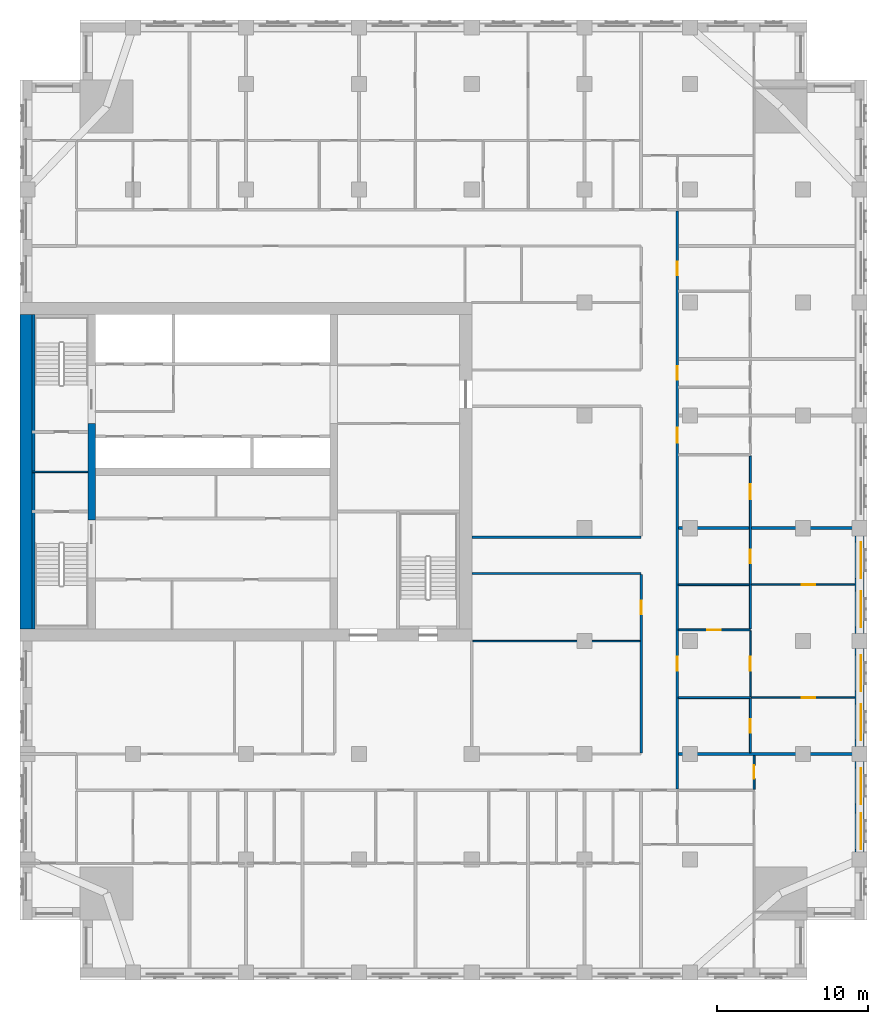
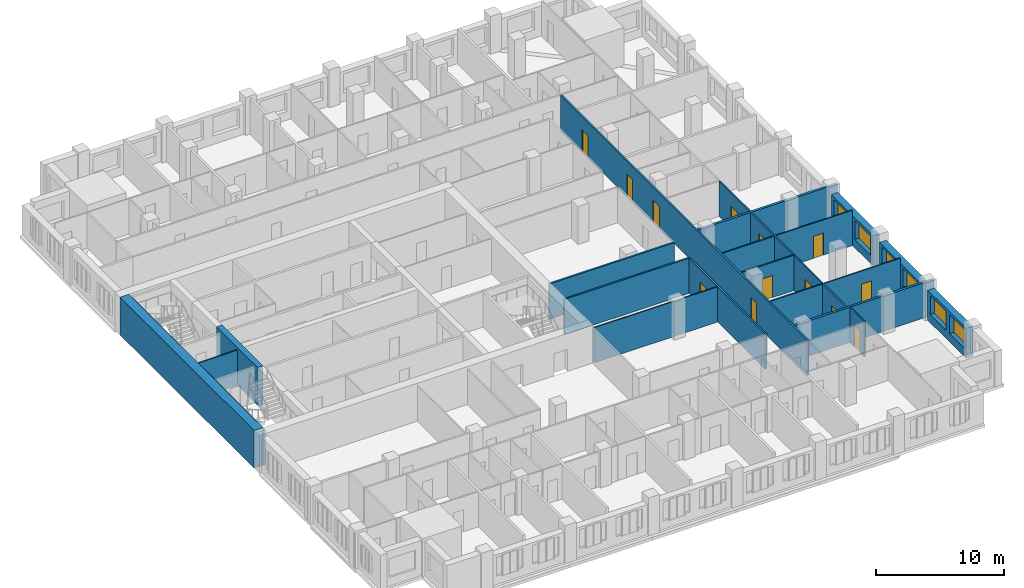
# One storey, part 7 of 14: 23 walls, 13 doors, 6 windows, 19 openings.
"""IFC4 building model written with IfcOpenShell, lengths in metres."""

from ifc_helpers import new_model, si_unit, direction, frame, frame_2d, origin, place, context, subcontext, project, spatial, rectangle, extrude, material, layer, layer_set, type_object, element, fill, save


model = new_model("IFC4")

# Units and contexts
model_context = context("Model", 3, precision=1e-05, world=origin(), true_north=direction((0.0, 1.0)))
body_context = subcontext(model_context, "Body", "Model", "MODEL_VIEW")
ifc_project = project(units=[si_unit("LENGTHUNIT", "METRE"), si_unit("AREAUNIT", "SQUARE_METRE"), si_unit("VOLUMEUNIT", "CUBIC_METRE"), si_unit("PLANEANGLEUNIT", "RADIAN"), si_unit("MASSUNIT", "GRAM", prefix="KILO")], contexts=[model_context])

# Site, building, storey
site_placement = place(None, origin())
site = spatial("IfcSite", under=ifc_project, at=site_placement, CompositionType="ELEMENT")
building_placement = place(site_placement, origin())
building = spatial("IfcBuilding", under=site, at=building_placement, Name="Tamorin Gate", CompositionType="ELEMENT")
storey_placement = place(building_placement, frame((0.0, 0.0, 141.0)))
storey = spatial("IfcBuildingStorey", under=building, at=storey_placement, Name="L34", CompositionType="ELEMENT", Elevation=141.0)

# Wall, openings, windows
ifc_material_1 = material(Name="Precast concrete C40/50", Category="concrete")
ifc_layer_1 = layer(ifc_material_1, 0.60009765625)
ifc_layer_set_1 = layer_set([ifc_layer_1], Name="Precast concrete C40/50")
wall_type_1 = type_object("IfcWallType", Name="Board-marked concrete facade panel 600", PredefinedType="SOLIDWALL", material=ifc_layer_set_1)
wall_1_placement = place(storey_placement, frame((85.75, 46.0, 0.0), z_axis=(0.0, 0.0, 1.0), x_axis=(0.0, 1.0, 0.0)))
wall_1 = element("IfcWall", 1, at=wall_1_placement, inside=storey, type_object=wall_type_1, Name="Facade panel", PredefinedType="SOLIDWALL", context=body_context, shape_type="SweptSolid", body=[
    extrude(rectangle(XDim=6.0, YDim=0.60009765625, at=frame_2d((3.0, 0.0))), origin(), (0.0, 0.0, 1.0), 2.85009765625),
])
opening_1_placement = place(wall_1_placement, frame((0.175048828125, 0.0, 0.800048828125)))
opening_1 = element("IfcOpeningElement", 2, at=opening_1_placement, cuts=wall_1, Name="Opening WN1", PredefinedType="OPENING", context=body_context, shape_type="SweptSolid", body=[
    extrude(rectangle(XDim=2.39990234375, YDim=1.800048828125, at=frame_2d((1.199951171875, 0.89990234375))), frame((0.0, 0.31005859375, 0.0), z_axis=(0.0, -1.0, 0.0), x_axis=(1.0, 0.0, 0.0)), (0.0, 0.0, 1.0), 0.6201171875),
])
opening_2_placement = place(wall_1_placement, frame((3.175048828125, 0.0, 0.800048828125)))
opening_2 = element("IfcOpeningElement", 3, at=opening_2_placement, cuts=wall_1, Name="Opening WN1", PredefinedType="OPENING", context=body_context, shape_type="SweptSolid", body=[
    extrude(rectangle(XDim=2.39990234375, YDim=1.800048828125, at=frame_2d((1.199951171875, 0.89990234375))), frame((0.0, 0.31005859375, 0.0), z_axis=(0.0, -1.0, 0.0), x_axis=(1.0, 0.0, 0.0)), (0.0, 0.0, 1.0), 0.6201171875),
])
ifc_material_2 = material(Name="Clear glass in aluminium frame", Category="aluminium")
window_type = type_object("IfcWindowType", Name="Deep-set window 2400x1800", PartitioningType="SINGLE_PANEL", PredefinedType="WINDOW", material=ifc_material_2)
window_1_placement = place(opening_1_placement, origin())
window_1 = element("IfcWindow", 4, at=window_1_placement, inside=storey, type_object=window_type, Name="Deep-set window", OverallHeight=1.800048828125, OverallWidth=2.39990234375, PartitioningType="SINGLE_PANEL", PredefinedType="WINDOW", context=body_context, shape_type="SweptSolid", body=[
    extrude(rectangle(XDim=2.39990234375, YDim=1.800048828125, at=frame_2d((1.199951171875, 0.89990234375))), frame((0.0, -0.070068359375, 0.0), z_axis=(0.0, -1.0, 0.0), x_axis=(1.0, 0.0, 0.0)), (0.0, 0.0, 1.0), 0.06005859375),
])
fill(opening_1, window_1)
window_2_placement = place(opening_2_placement, origin())
window_2 = element("IfcWindow", 5, at=window_2_placement, inside=storey, type_object=window_type, Name="Deep-set window", OverallHeight=1.800048828125, OverallWidth=2.39990234375, PartitioningType="SINGLE_PANEL", PredefinedType="WINDOW", context=body_context, shape_type="SweptSolid", body=[
    extrude(rectangle(XDim=2.39990234375, YDim=1.800048828125, at=frame_2d((1.199951171875, 0.89990234375))), frame((0.0, -0.070068359375, 0.0), z_axis=(0.0, -1.0, 0.0), x_axis=(1.0, 0.0, 0.0)), (0.0, 0.0, 1.0), 0.06005859375),
])
fill(opening_2, window_2)

wall_2_placement = place(storey_placement, frame((85.75, 53.0, 0.0), z_axis=(0.0, 0.0, 1.0), x_axis=(0.0, 1.0, 0.0)))
wall_2 = element("IfcWall", 6, at=wall_2_placement, inside=storey, type_object=wall_type_1, Name="Facade panel", PredefinedType="SOLIDWALL", context=body_context, shape_type="SweptSolid", body=[
    extrude(rectangle(XDim=6.5, YDim=0.60009765625, at=frame_2d((3.25, 0.0))), origin(), (0.0, 0.0, 1.0), 2.85009765625),
])
opening_3_placement = place(wall_2_placement, frame((0.425048828125, 0.0, 0.800048828125)))
opening_3 = element("IfcOpeningElement", 7, at=opening_3_placement, cuts=wall_2, Name="Opening WN1", PredefinedType="OPENING", context=body_context, shape_type="SweptSolid", body=[
    extrude(rectangle(XDim=2.39990234375, YDim=1.800048828125, at=frame_2d((1.199951171875, 0.89990234375))), frame((0.0, 0.31005859375, 0.0), z_axis=(0.0, -1.0, 0.0), x_axis=(1.0, 0.0, 0.0)), (0.0, 0.0, 1.0), 0.6201171875),
])
opening_4_placement = place(wall_2_placement, frame((3.675048828125, 0.0, 0.800048828125)))
opening_4 = element("IfcOpeningElement", 8, at=opening_4_placement, cuts=wall_2, Name="Opening WN1", PredefinedType="OPENING", context=body_context, shape_type="SweptSolid", body=[
    extrude(rectangle(XDim=2.39990234375, YDim=1.800048828125, at=frame_2d((1.199951171875, 0.89990234375))), frame((0.0, 0.31005859375, 0.0), z_axis=(0.0, -1.0, 0.0), x_axis=(1.0, 0.0, 0.0)), (0.0, 0.0, 1.0), 0.6201171875),
])
window_3_placement = place(opening_3_placement, origin())
window_3 = element("IfcWindow", 9, at=window_3_placement, inside=storey, type_object=window_type, Name="Deep-set window", OverallHeight=1.800048828125, OverallWidth=2.39990234375, PartitioningType="SINGLE_PANEL", PredefinedType="WINDOW", context=body_context, shape_type="SweptSolid", body=[
    extrude(rectangle(XDim=2.39990234375, YDim=1.800048828125, at=frame_2d((1.199951171875, 0.89990234375))), frame((0.0, -0.070068359375, 0.0), z_axis=(0.0, -1.0, 0.0), x_axis=(1.0, 0.0, 0.0)), (0.0, 0.0, 1.0), 0.06005859375),
])
fill(opening_3, window_3)
window_4_placement = place(opening_4_placement, origin())
window_4 = element("IfcWindow", 10, at=window_4_placement, inside=storey, type_object=window_type, Name="Deep-set window", OverallHeight=1.800048828125, OverallWidth=2.39990234375, PartitioningType="SINGLE_PANEL", PredefinedType="WINDOW", context=body_context, shape_type="SweptSolid", body=[
    extrude(rectangle(XDim=2.39990234375, YDim=1.800048828125, at=frame_2d((1.199951171875, 0.89990234375))), frame((0.0, -0.070068359375, 0.0), z_axis=(0.0, -1.0, 0.0), x_axis=(1.0, 0.0, 0.0)), (0.0, 0.0, 1.0), 0.06005859375),
])
fill(opening_4, window_4)

wall_3_placement = place(storey_placement, frame((85.75, 60.5, 0.0), z_axis=(0.0, 0.0, 1.0), x_axis=(0.0, 1.0, 0.0)))
wall_3 = element("IfcWall", 11, at=wall_3_placement, inside=storey, type_object=wall_type_1, Name="Facade panel", PredefinedType="SOLIDWALL", context=body_context, shape_type="SweptSolid", body=[
    extrude(rectangle(XDim=6.5, YDim=0.60009765625, at=frame_2d((3.25, 0.0))), origin(), (0.0, 0.0, 1.0), 2.85009765625),
])
opening_5_placement = place(wall_3_placement, frame((0.425048828125, 0.0, 0.800048828125)))
opening_5 = element("IfcOpeningElement", 12, at=opening_5_placement, cuts=wall_3, Name="Opening WN1", PredefinedType="OPENING", context=body_context, shape_type="SweptSolid", body=[
    extrude(rectangle(XDim=2.39990234375, YDim=1.800048828125, at=frame_2d((1.199951171875, 0.89990234375))), frame((0.0, 0.31005859375, 0.0), z_axis=(0.0, -1.0, 0.0), x_axis=(1.0, 0.0, 0.0)), (0.0, 0.0, 1.0), 0.6201171875),
])
opening_6_placement = place(wall_3_placement, frame((3.675048828125, 0.0, 0.800048828125)))
opening_6 = element("IfcOpeningElement", 13, at=opening_6_placement, cuts=wall_3, Name="Opening WN1", PredefinedType="OPENING", context=body_context, shape_type="SweptSolid", body=[
    extrude(rectangle(XDim=2.39990234375, YDim=1.800048828125, at=frame_2d((1.199951171875, 0.89990234375))), frame((0.0, 0.31005859375, 0.0), z_axis=(0.0, -1.0, 0.0), x_axis=(1.0, 0.0, 0.0)), (0.0, 0.0, 1.0), 0.6201171875),
])
window_5_placement = place(opening_5_placement, origin())
window_5 = element("IfcWindow", 14, at=window_5_placement, inside=storey, type_object=window_type, Name="Deep-set window", OverallHeight=1.800048828125, OverallWidth=2.39990234375, PartitioningType="SINGLE_PANEL", PredefinedType="WINDOW", context=body_context, shape_type="SweptSolid", body=[
    extrude(rectangle(XDim=2.39990234375, YDim=1.800048828125, at=frame_2d((1.199951171875, 0.89990234375))), frame((0.0, -0.070068359375, 0.0), z_axis=(0.0, -1.0, 0.0), x_axis=(1.0, 0.0, 0.0)), (0.0, 0.0, 1.0), 0.06005859375),
])
fill(opening_5, window_5)
window_6_placement = place(opening_6_placement, origin())
window_6 = element("IfcWindow", 15, at=window_6_placement, inside=storey, type_object=window_type, Name="Deep-set window", OverallHeight=1.800048828125, OverallWidth=2.39990234375, PartitioningType="SINGLE_PANEL", PredefinedType="WINDOW", context=body_context, shape_type="SweptSolid", body=[
    extrude(rectangle(XDim=2.39990234375, YDim=1.800048828125, at=frame_2d((1.199951171875, 0.89990234375))), frame((0.0, -0.070068359375, 0.0), z_axis=(0.0, -1.0, 0.0), x_axis=(1.0, 0.0, 0.0)), (0.0, 0.0, 1.0), 0.06005859375),
])
fill(opening_6, window_6)

# Wall, opening, door
ifc_material_3 = material(Name="Gypsum board partition")
ifc_layer_2 = layer(ifc_material_3, 0.14990234375)
ifc_layer_set_2 = layer_set([ifc_layer_2], Name="Corridor wall 150")
wall_type_2 = type_object("IfcWallType", Name="Corridor wall 150", PredefinedType="PARTITIONING", material=ifc_layer_set_2)
wall_4_placement = place(storey_placement, frame((71.25, 52.574951171875, 0.0), z_axis=(0.0, 0.0, 1.0), x_axis=(0.0, 1.0, 0.0)))
wall_4 = element("IfcWall", 16, at=wall_4_placement, inside=storey, type_object=wall_type_2, Name="Corridor wall 150", PredefinedType="PARTITIONING", context=body_context, shape_type="SweptSolid", body=[
    extrude(rectangle(XDim=11.85009765625, YDim=0.14990234375, at=frame_2d((5.925048828125, 0.0))), origin(), (0.0, 0.0, 1.0), 3.35009765625),
])
opening_7_placement = place(wall_4_placement, frame((9.22509765625, 0.0, 0.0)))
opening_7 = element("IfcOpeningElement", 17, at=opening_7_placement, cuts=wall_4, Name="Opening DS4078", PredefinedType="OPENING", context=body_context, shape_type="SweptSolid", body=[
    extrude(rectangle(XDim=0.89990234375, YDim=2.10009765625, at=frame_2d((0.449951171875, 1.050048828125))), frame((0.0, 0.0849609375, 0.0), z_axis=(0.0, -1.0, 0.0), x_axis=(1.0, 0.0, 0.0)), (0.0, 0.0, 1.0), 0.169921875),
])
ifc_material_4 = material(Name="Timber door leaf", Category="wood")
door_type_1 = type_object("IfcDoorType", Name="Door 900 x 2100 FD30S", OperationType="NOTDEFINED", PredefinedType="DOOR", material=ifc_material_4)
door_1_placement = place(opening_7_placement, origin())
door_1 = element("IfcDoor", 18, at=door_1_placement, inside=storey, type_object=door_type_1, Name="Door DS4078", OperationType="SINGLE_SWING_LEFT", OverallHeight=2.10009765625, OverallWidth=0.89990234375, PredefinedType="DOOR", context=body_context, shape_type="SweptSolid", body=[
    extrude(rectangle(XDim=0.89990234375, YDim=2.10009765625, at=frame_2d((0.449951171875, 1.050048828125))), frame((0.0, 0.02490234375, 0.0), z_axis=(0.0, -1.0, 0.0), x_axis=(1.0, 0.0, 0.0)), (0.0, 0.0, 1.0), 0.050048828125),
])
fill(opening_7, door_1)

# Wall, openings, doors
wall_5_placement = place(storey_placement, frame((73.64990234375, 50.175048828125, 0.0), z_axis=(0.0, 0.0, 1.0), x_axis=(0.0, 1.0, 0.0)))
wall_5 = element("IfcWall", 19, at=wall_5_placement, inside=storey, type_object=wall_type_2, Name="Corridor wall 150", PredefinedType="PARTITIONING", context=body_context, shape_type="SweptSolid", body=[
    extrude(rectangle(XDim=38.39990234375, YDim=0.14990234375, at=frame_2d((19.199951171875, 0.0))), origin(), (0.0, 0.0, 1.0), 3.35009765625),
])
opening_8_placement = place(wall_5_placement, frame((7.875, 0.0, 0.0)))
opening_8 = element("IfcOpeningElement", 20, at=opening_8_placement, cuts=wall_5, Name="Opening DS4044", PredefinedType="OPENING", context=body_context, shape_type="SweptSolid", body=[
    extrude(rectangle(XDim=0.89990234375, YDim=2.10009765625, at=frame_2d((0.449951171875, 1.050048828125))), frame((0.0, 0.0849609375, 0.0), z_axis=(0.0, -1.0, 0.0), x_axis=(1.0, 0.0, 0.0)), (0.0, 0.0, 1.0), 0.169921875),
])
opening_9_placement = place(wall_5_placement, frame((23.012451171875, 0.0, 0.0)))
opening_9 = element("IfcOpeningElement", 21, at=opening_9_placement, cuts=wall_5, Name="Opening DS4051", PredefinedType="OPENING", context=body_context, shape_type="SweptSolid", body=[
    extrude(rectangle(XDim=1.0, YDim=2.10009765625, at=frame_2d((0.5, 1.050048828125))), frame((0.0, 0.0849609375, 0.0), z_axis=(0.0, -1.0, 0.0), x_axis=(1.0, 0.0, 0.0)), (0.0, 0.0, 1.0), 0.169921875),
])
opening_10_placement = place(wall_5_placement, frame((27.1875, 0.0, 0.0)))
opening_10 = element("IfcOpeningElement", 22, at=opening_10_placement, cuts=wall_5, Name="Opening DS4054", PredefinedType="OPENING", context=body_context, shape_type="SweptSolid", body=[
    extrude(rectangle(XDim=0.89990234375, YDim=2.10009765625, at=frame_2d((0.449951171875, 1.050048828125))), frame((0.0, 0.0849609375, 0.0), z_axis=(0.0, -1.0, 0.0), x_axis=(1.0, 0.0, 0.0)), (0.0, 0.0, 1.0), 0.169921875),
])
opening_11_placement = place(wall_5_placement, frame((34.125, 0.0, 0.0)))
opening_11 = element("IfcOpeningElement", 23, at=opening_11_placement, cuts=wall_5, Name="Opening DS4057", PredefinedType="OPENING", context=body_context, shape_type="SweptSolid", body=[
    extrude(rectangle(XDim=0.89990234375, YDim=2.10009765625, at=frame_2d((0.449951171875, 1.050048828125))), frame((0.0, 0.0849609375, 0.0), z_axis=(0.0, -1.0, 0.0), x_axis=(1.0, 0.0, 0.0)), (0.0, 0.0, 1.0), 0.169921875),
])
door_type_2 = type_object("IfcDoorType", Name="Door 1000 x 2100 FD30S", OperationType="NOTDEFINED", PredefinedType="DOOR", material=ifc_material_4)
door_2_placement = place(opening_9_placement, origin())
door_2 = element("IfcDoor", 24, at=door_2_placement, inside=storey, type_object=door_type_2, Name="Door DS4051", OperationType="SINGLE_SWING_RIGHT", OverallHeight=2.10009765625, OverallWidth=1.0, PredefinedType="DOOR", context=body_context, shape_type="SweptSolid", body=[
    extrude(rectangle(XDim=1.0, YDim=2.10009765625, at=frame_2d((0.5, 1.050048828125))), frame((0.0, 0.02490234375, 0.0), z_axis=(0.0, -1.0, 0.0), x_axis=(1.0, 0.0, 0.0)), (0.0, 0.0, 1.0), 0.050048828125),
])
fill(opening_9, door_2)
door_3_placement = place(opening_8_placement, origin())
door_3 = element("IfcDoor", 25, at=door_3_placement, inside=storey, type_object=door_type_1, Name="Door DS4044", OperationType="SINGLE_SWING_RIGHT", OverallHeight=2.10009765625, OverallWidth=0.89990234375, PredefinedType="DOOR", context=body_context, shape_type="SweptSolid", body=[
    extrude(rectangle(XDim=0.89990234375, YDim=2.10009765625, at=frame_2d((0.449951171875, 1.050048828125))), frame((0.0, 0.02490234375, 0.0), z_axis=(0.0, -1.0, 0.0), x_axis=(1.0, 0.0, 0.0)), (0.0, 0.0, 1.0), 0.050048828125),
])
fill(opening_8, door_3)
door_4_placement = place(opening_10_placement, origin())
door_4 = element("IfcDoor", 26, at=door_4_placement, inside=storey, type_object=door_type_1, Name="Door DS4054", OperationType="SINGLE_SWING_RIGHT", OverallHeight=2.10009765625, OverallWidth=0.89990234375, PredefinedType="DOOR", context=body_context, shape_type="SweptSolid", body=[
    extrude(rectangle(XDim=0.89990234375, YDim=2.10009765625, at=frame_2d((0.449951171875, 1.050048828125))), frame((0.0, 0.02490234375, 0.0), z_axis=(0.0, -1.0, 0.0), x_axis=(1.0, 0.0, 0.0)), (0.0, 0.0, 1.0), 0.050048828125),
])
fill(opening_10, door_4)
door_5_placement = place(opening_11_placement, origin())
door_5 = element("IfcDoor", 27, at=door_5_placement, inside=storey, type_object=door_type_1, Name="Door DS4057", OperationType="SINGLE_SWING_RIGHT", OverallHeight=2.10009765625, OverallWidth=0.89990234375, PredefinedType="DOOR", context=body_context, shape_type="SweptSolid", body=[
    extrude(rectangle(XDim=0.89990234375, YDim=2.10009765625, at=frame_2d((0.449951171875, 1.050048828125))), frame((0.0, 0.02490234375, 0.0), z_axis=(0.0, -1.0, 0.0), x_axis=(1.0, 0.0, 0.0)), (0.0, 0.0, 1.0), 0.050048828125),
])
fill(opening_11, door_5)

# Walls
ifc_layer_3 = layer(ifc_material_3, 0.199951171875)
ifc_layer_set_3 = layer_set([ifc_layer_3], Name="Demising wall 200")
wall_type_3 = type_object("IfcWallType", Name="Demising wall 200", PredefinedType="PARTITIONING", material=ifc_layer_set_3)
for number, where, z_axis, x_axis, name in (
    (28, (73.72509765625, 52.5, 0.0), (0.0, 0.0, 1.0), (1.0, 0.0, 0.0), "Demising wall 200"),
    (29, (73.72509765625, 67.5, 0.0), (0.0, 0.0, 1.0), (1.0, 0.0, 0.0), "Demising wall 200"),
):
    element("IfcWall", number, at=place(storey_placement, frame(where, z_axis=z_axis, x_axis=x_axis)), inside=storey, type_object=wall_type_3, Name=name, PredefinedType="PARTITIONING", context=body_context, shape_type="SweptSolid", body=[
        extrude(rectangle(XDim=12.52490234375, YDim=0.199951171875, at=frame_2d((6.262451171875, 0.0))), origin(), (0.0, 0.0, 1.0), 3.35009765625),
    ])
ifc_layer_4 = layer(ifc_material_3, 0.14990234375)
ifc_layer_set_4 = layer_set([ifc_layer_4], Name="Lobby wall 150")
wall_type_4 = type_object("IfcWallType", Name="Lobby wall 150", PredefinedType="PARTITIONING", material=ifc_layer_set_4)
for number, where, z_axis, x_axis, name in (
    (30, (60.0, 64.5, 0.0), (0.0, 0.0, 1.0), (1.0, 0.0, 0.0), "Lobby wall 150"),
    (31, (60.0, 66.89990234375, 0.0), (0.0, 0.0, 1.0), (1.0, 0.0, 0.0), "Lobby wall 150"),
):
    element("IfcWall", number, at=place(storey_placement, frame(where, z_axis=z_axis, x_axis=x_axis)), inside=storey, type_object=wall_type_4, Name=name, PredefinedType="PARTITIONING", context=body_context, shape_type="SweptSolid", body=[
        extrude(rectangle(XDim=11.25, YDim=0.14990234375, at=frame_2d((5.625, 0.0))), origin(), (0.0, 0.0, 1.0), 3.35009765625),
    ])
ifc_material_5 = material(Name="Concrete C60/75", Category="concrete")
ifc_layer_5 = layer(ifc_material_5, 0.5)
ifc_layer_set_5 = layer_set([ifc_layer_5], Name="RC core internal wall 500 C60/75")
wall_type_5 = type_object("IfcWallType", Name="RC core internal wall 500 C60/75", PredefinedType="SHEAR", material=ifc_layer_set_5)
wall_6_placement = place(storey_placement, frame((34.75, 68.050048828125, 0.0), z_axis=(0.0, 0.0, 1.0), x_axis=(0.0, 1.0, 0.0)))
element("IfcWall", 32, at=wall_6_placement, inside=storey, type_object=wall_type_5, Name="Core cross wall L34", PredefinedType="SHEAR", context=body_context, shape_type="SweptSolid", body=[
    extrude(rectangle(XDim=6.39990234375, YDim=0.5, at=frame_2d((3.199951171875, 0.0))), origin(), (0.0, 0.0, 1.0), 3.60009765625),
])
ifc_layer_6 = layer(ifc_material_5, 0.800048828125)
ifc_layer_set_6 = layer_set([ifc_layer_6], Name="RC core wall 800 C60/75")
wall_type_6 = type_object("IfcWallType", Name="RC core wall 800 C60/75", PredefinedType="SHEAR", material=ifc_layer_set_6)
wall_7_placement = place(storey_placement, frame((30.39990234375, 60.800048828125, 0.0), z_axis=(0.0, 0.0, 1.0), x_axis=(0.0, 1.0, 0.0)))
element("IfcWall", 33, at=wall_7_placement, inside=storey, type_object=wall_type_6, Name="Core wall L34", PredefinedType="SHEAR", context=body_context, shape_type="SweptSolid", body=[
    extrude(rectangle(XDim=20.89990234375, YDim=0.800048828125, at=frame_2d((10.449951171875, 0.0))), origin(), (0.0, 0.0, 1.0), 3.60009765625),
])
ifc_material_6 = material(Name="Fire-rated gypsum board partition")
ifc_layer_7 = layer(ifc_material_6, 0.10009765625)
ifc_layer_set_7 = layer_set([ifc_layer_7], Name="Riser partition 100 EI 120")
wall_type_7 = type_object("IfcWallType", Name="Riser partition 100 EI 120", PredefinedType="PARTITIONING", material=ifc_layer_set_7)
wall_8_placement = place(storey_placement, frame((30.800048828125, 71.25, 0.0), z_axis=(0.0, 0.0, 1.0), x_axis=(1.0, 0.0, 0.0)))
element("IfcWall", 34, at=wall_8_placement, inside=storey, type_object=wall_type_7, Name="Riser partition", PredefinedType="PARTITIONING", context=body_context, shape_type="SweptSolid", body=[
    extrude(rectangle(XDim=3.699951171875, YDim=0.10009765625, at=frame_2d((1.85009765625, 0.0))), origin(), (0.0, 0.0, 1.0), 3.35009765625),
])

# Wall, opening, door
ifc_layer_8 = layer(ifc_material_3, 0.10009765625)
ifc_layer_set_8 = layer_set([ifc_layer_8], Name="Room partition 100")
wall_type_8 = type_object("IfcWallType", Name="Room partition 100", PredefinedType="PARTITIONING", material=ifc_layer_set_8)
wall_9_placement = place(storey_placement, frame((78.5625, 56.25, 0.0), z_axis=(0.0, 0.0, 1.0), x_axis=(1.0, 0.0, 0.0)))
wall_9 = element("IfcWall", 35, at=wall_9_placement, inside=storey, type_object=wall_type_8, Name="Room partition 100", PredefinedType="PARTITIONING", context=body_context, shape_type="SweptSolid", body=[
    extrude(rectangle(XDim=6.87744140625, YDim=0.10009765625, at=frame_2d((3.438720703125, 0.0))), origin(), (0.0, 0.0, 1.0), 3.35009765625),
])
opening_12_placement = place(wall_9_placement, frame((3.362548828125, 0.0, 0.0)))
opening_12 = element("IfcOpeningElement", 36, at=opening_12_placement, cuts=wall_9, Name="Opening DS4048", PredefinedType="OPENING", context=body_context, shape_type="SweptSolid", body=[
    extrude(rectangle(XDim=0.89990234375, YDim=2.10009765625, at=frame_2d((0.449951171875, 1.050048828125))), frame((0.0, 0.06005859375, 0.0), z_axis=(0.0, -1.0, 0.0), x_axis=(1.0, 0.0, 0.0)), (0.0, 0.0, 1.0), 0.1201171875),
])
door_type_3 = type_object("IfcDoorType", Name="Door 900 x 2100", OperationType="NOTDEFINED", PredefinedType="DOOR", material=ifc_material_4)
door_6_placement = place(opening_12_placement, origin())
door_6 = element("IfcDoor", 37, at=door_6_placement, inside=storey, type_object=door_type_3, Name="Door DS4048", OperationType="SINGLE_SWING_RIGHT", OverallHeight=2.10009765625, OverallWidth=0.89990234375, PredefinedType="DOOR", context=body_context, shape_type="SweptSolid", body=[
    extrude(rectangle(XDim=0.89990234375, YDim=2.10009765625, at=frame_2d((0.449951171875, 1.050048828125))), frame((0.0, 0.02490234375, 0.0), z_axis=(0.0, -1.0, 0.0), x_axis=(1.0, 0.0, 0.0)), (0.0, 0.0, 1.0), 0.050048828125),
])
fill(opening_12, door_6)

# Wall
wall_10_placement = place(storey_placement, frame((60.074951171875, 60.0, 0.0), z_axis=(0.0, 0.0, 1.0), x_axis=(1.0, 0.0, 0.0)))
element("IfcWall", 38, at=wall_10_placement, inside=storey, type_object=wall_type_8, Name="Room partition 100", PredefinedType="PARTITIONING", context=body_context, shape_type="SweptSolid", body=[
    extrude(rectangle(XDim=11.10009765625, YDim=0.10009765625, at=frame_2d((5.550048828125, 0.0))), origin(), (0.0, 0.0, 1.0), 3.35009765625),
])

# Wall, opening, door
wall_11_placement = place(storey_placement, frame((78.5625, 63.75, 0.0), z_axis=(0.0, 0.0, 1.0), x_axis=(1.0, 0.0, 0.0)))
wall_11 = element("IfcWall", 39, at=wall_11_placement, inside=storey, type_object=wall_type_8, Name="Room partition 100", PredefinedType="PARTITIONING", context=body_context, shape_type="SweptSolid", body=[
    extrude(rectangle(XDim=6.87744140625, YDim=0.10009765625, at=frame_2d((3.438720703125, 0.0))), origin(), (0.0, 0.0, 1.0), 3.35009765625),
])
opening_13_placement = place(wall_11_placement, frame((3.362548828125, 0.0, 0.0)))
opening_13 = element("IfcOpeningElement", 40, at=opening_13_placement, cuts=wall_11, Name="Opening DS4049", PredefinedType="OPENING", context=body_context, shape_type="SweptSolid", body=[
    extrude(rectangle(XDim=0.89990234375, YDim=2.10009765625, at=frame_2d((0.449951171875, 1.050048828125))), frame((0.0, 0.06005859375, 0.0), z_axis=(0.0, -1.0, 0.0), x_axis=(1.0, 0.0, 0.0)), (0.0, 0.0, 1.0), 0.1201171875),
])
door_7_placement = place(opening_13_placement, origin())
door_7 = element("IfcDoor", 41, at=door_7_placement, inside=storey, type_object=door_type_3, Name="Door DS4049", OperationType="SINGLE_SWING_RIGHT", OverallHeight=2.10009765625, OverallWidth=0.89990234375, PredefinedType="DOOR", context=body_context, shape_type="SweptSolid", body=[
    extrude(rectangle(XDim=0.89990234375, YDim=2.10009765625, at=frame_2d((0.449951171875, 1.050048828125))), frame((0.0, 0.02490234375, 0.0), z_axis=(0.0, -1.0, 0.0), x_axis=(1.0, 0.0, 0.0)), (0.0, 0.0, 1.0), 0.050048828125),
])
fill(opening_13, door_7)

wall_12_placement = place(storey_placement, frame((78.5, 56.3125, 0.0), z_axis=(0.0, 0.0, 1.0), x_axis=(0.0, 1.0, 0.0)))
wall_12 = element("IfcWall", 42, at=wall_12_placement, inside=storey, type_object=wall_type_8, Name="Room partition 100", PredefinedType="PARTITIONING", context=body_context, shape_type="SweptSolid", body=[
    extrude(rectangle(XDim=4.375, YDim=0.10009765625, at=frame_2d((2.1875, 0.0))), origin(), (0.0, 0.0, 1.0), 3.35009765625),
])
opening_14_placement = place(wall_12_placement, frame((1.737548828125, 0.0, 0.0)))
opening_14 = element("IfcOpeningElement", 43, at=opening_14_placement, cuts=wall_12, Name="Opening DS4045", PredefinedType="OPENING", context=body_context, shape_type="SweptSolid", body=[
    extrude(rectangle(XDim=0.89990234375, YDim=2.10009765625, at=frame_2d((0.449951171875, 1.050048828125))), frame((0.0, 0.06005859375, 0.0), z_axis=(0.0, -1.0, 0.0), x_axis=(1.0, 0.0, 0.0)), (0.0, 0.0, 1.0), 0.1201171875),
])
door_8_placement = place(opening_14_placement, origin())
door_8 = element("IfcDoor", 44, at=door_8_placement, inside=storey, type_object=door_type_3, Name="Door DS4045", OperationType="SINGLE_SWING_LEFT", OverallHeight=2.10009765625, OverallWidth=0.89990234375, PredefinedType="DOOR", context=body_context, shape_type="SweptSolid", body=[
    extrude(rectangle(XDim=0.89990234375, YDim=2.10009765625, at=frame_2d((0.449951171875, 1.050048828125))), frame((0.0, 0.02490234375, 0.0), z_axis=(0.0, -1.0, 0.0), x_axis=(1.0, 0.0, 0.0)), (0.0, 0.0, 1.0), 0.050048828125),
])
fill(opening_14, door_8)

# Walls
ifc_layer_9 = layer(ifc_material_5, 0.199951171875)
ifc_layer_set_9 = layer_set([ifc_layer_9], Name="Stair lining wall 200 EI 120 C60/75")
wall_type_9 = type_object("IfcWallType", Name="Stair lining wall 200 EI 120 C60/75", PredefinedType="SOLIDWALL", material=ifc_layer_set_9)
wall_13_placement = place(storey_placement, frame((30.89990234375, 60.800048828125, 0.0), z_axis=(0.0, 0.0, 1.0), x_axis=(0.0, 1.0, 0.0)))
element("IfcWall", 45, at=wall_13_placement, inside=storey, type_object=wall_type_9, Name="Stair lining wall", PredefinedType="SOLIDWALL", context=body_context, shape_type="SweptSolid", body=[
    extrude(rectangle(XDim=20.89990234375, YDim=0.199951171875, at=frame_2d((10.449951171875, 0.0))), origin(), (0.0, 0.0, 1.0), 3.35009765625),
])
ifc_layer_10 = layer(ifc_material_3, 0.125)
ifc_layer_set_10 = layer_set([ifc_layer_10], Name="Wet wall 125")
wall_type_10 = type_object("IfcWallType", Name="Wet wall 125", PredefinedType="PARTITIONING", material=ifc_layer_set_10)
wall_14_placement = place(storey_placement, frame((73.72509765625, 56.25, 0.0), z_axis=(0.0, 0.0, 1.0), x_axis=(1.0, 0.0, 0.0)))
element("IfcWall", 46, at=wall_14_placement, inside=storey, type_object=wall_type_10, Name="Wet wall 125", PredefinedType="PARTITIONING", context=body_context, shape_type="SweptSolid", body=[
    extrude(rectangle(XDim=4.77490234375, YDim=0.125, at=frame_2d((2.387451171875, 0.0))), origin(), (0.0, 0.0, 1.0), 3.35009765625),
])

# Wall, opening, door
wall_15_placement = place(storey_placement, frame((73.72509765625, 60.75, 0.0), z_axis=(0.0, 0.0, 1.0), x_axis=(1.0, 0.0, 0.0)))
wall_15 = element("IfcWall", 47, at=wall_15_placement, inside=storey, type_object=wall_type_10, Name="Wet wall 125", PredefinedType="PARTITIONING", context=body_context, shape_type="SweptSolid", body=[
    extrude(rectangle(XDim=4.77490234375, YDim=0.125, at=frame_2d((2.387451171875, 0.0))), origin(), (0.0, 0.0, 1.0), 3.35009765625),
])
opening_15_placement = place(wall_15_placement, frame((1.89990234375, 0.0, 0.0)))
opening_15 = element("IfcOpeningElement", 48, at=opening_15_placement, cuts=wall_15, Name="Opening DS4046", PredefinedType="OPENING", context=body_context, shape_type="SweptSolid", body=[
    extrude(rectangle(XDim=0.89990234375, YDim=2.10009765625, at=frame_2d((0.449951171875, 1.050048828125))), frame((0.0, 0.072509765625, 0.0), z_axis=(0.0, -1.0, 0.0), x_axis=(1.0, 0.0, 0.0)), (0.0, 0.0, 1.0), 0.14501953125),
])
door_9_placement = place(opening_15_placement, origin())
door_9 = element("IfcDoor", 49, at=door_9_placement, inside=storey, type_object=door_type_3, Name="Door DS4046", OperationType="SINGLE_SWING_RIGHT", OverallHeight=2.10009765625, OverallWidth=0.89990234375, PredefinedType="DOOR", context=body_context, shape_type="SweptSolid", body=[
    extrude(rectangle(XDim=0.89990234375, YDim=2.10009765625, at=frame_2d((0.449951171875, 1.050048828125))), frame((0.0, 0.02490234375, 0.0), z_axis=(0.0, -1.0, 0.0), x_axis=(1.0, 0.0, 0.0)), (0.0, 0.0, 1.0), 0.050048828125),
])
fill(opening_15, door_9)

# Wall
wall_16_placement = place(storey_placement, frame((73.72509765625, 63.75, 0.0), z_axis=(0.0, 0.0, 1.0), x_axis=(1.0, 0.0, 0.0)))
element("IfcWall", 50, at=wall_16_placement, inside=storey, type_object=wall_type_10, Name="Wet wall 125", PredefinedType="PARTITIONING", context=body_context, shape_type="SweptSolid", body=[
    extrude(rectangle(XDim=4.71240234375, YDim=0.125, at=frame_2d((2.356201171875, 0.0))), origin(), (0.0, 0.0, 1.0), 3.35009765625),
])

# Wall, opening, door
wall_17_placement = place(storey_placement, frame((78.5, 52.60009765625, 0.0), z_axis=(0.0, 0.0, 1.0), x_axis=(0.0, 1.0, 0.0)))
wall_17 = element("IfcWall", 51, at=wall_17_placement, inside=storey, type_object=wall_type_10, Name="Wet wall 125", PredefinedType="PARTITIONING", context=body_context, shape_type="SweptSolid", body=[
    extrude(rectangle(XDim=3.58740234375, YDim=0.125, at=frame_2d((1.793701171875, 0.0))), origin(), (0.0, 0.0, 1.0), 3.35009765625),
])
opening_16_placement = place(wall_17_placement, frame((1.324951171875, 0.0, 0.0)))
opening_16 = element("IfcOpeningElement", 52, at=opening_16_placement, cuts=wall_17, Name="Opening DS4043", PredefinedType="OPENING", context=body_context, shape_type="SweptSolid", body=[
    extrude(rectangle(XDim=0.89990234375, YDim=2.10009765625, at=frame_2d((0.449951171875, 1.050048828125))), frame((0.0, 0.072509765625, 0.0), z_axis=(0.0, -1.0, 0.0), x_axis=(1.0, 0.0, 0.0)), (0.0, 0.0, 1.0), 0.14501953125),
])
door_10_placement = place(opening_16_placement, origin())
door_10 = element("IfcDoor", 53, at=door_10_placement, inside=storey, type_object=door_type_3, Name="Door DS4043", OperationType="SINGLE_SWING_LEFT", OverallHeight=2.10009765625, OverallWidth=0.89990234375, PredefinedType="DOOR", context=body_context, shape_type="SweptSolid", body=[
    extrude(rectangle(XDim=0.89990234375, YDim=2.10009765625, at=frame_2d((0.449951171875, 1.050048828125))), frame((0.0, 0.02490234375, 0.0), z_axis=(0.0, -1.0, 0.0), x_axis=(1.0, 0.0, 0.0)), (0.0, 0.0, 1.0), 0.050048828125),
])
fill(opening_16, door_10)

# Wall, openings, doors
wall_18_placement = place(storey_placement, frame((78.5, 60.8125, 0.0), z_axis=(0.0, 0.0, 1.0), x_axis=(0.0, 1.0, 0.0)))
wall_18 = element("IfcWall", 54, at=wall_18_placement, inside=storey, type_object=wall_type_10, Name="Wet wall 125", PredefinedType="PARTITIONING", context=body_context, shape_type="SweptSolid", body=[
    extrude(rectangle(XDim=11.5, YDim=0.125, at=frame_2d((5.75, 0.0))), origin(), (0.0, 0.0, 1.0), 3.35009765625),
])
opening_17_placement = place(wall_18_placement, frame((4.362548828125, 0.0, 0.0)))
opening_17 = element("IfcOpeningElement", 55, at=opening_17_placement, cuts=wall_18, Name="Opening DS4047", PredefinedType="OPENING", context=body_context, shape_type="SweptSolid", body=[
    extrude(rectangle(XDim=0.89990234375, YDim=2.10009765625, at=frame_2d((0.449951171875, 1.050048828125))), frame((0.0, 0.072509765625, 0.0), z_axis=(0.0, -1.0, 0.0), x_axis=(1.0, 0.0, 0.0)), (0.0, 0.0, 1.0), 0.14501953125),
])
opening_18_placement = place(wall_18_placement, frame((8.625, 0.0, 0.0)))
opening_18 = element("IfcOpeningElement", 56, at=opening_18_placement, cuts=wall_18, Name="Opening DS4050", PredefinedType="OPENING", context=body_context, shape_type="SweptSolid", body=[
    extrude(rectangle(XDim=1.0, YDim=2.10009765625, at=frame_2d((0.5, 1.050048828125))), frame((0.0, 0.072509765625, 0.0), z_axis=(0.0, -1.0, 0.0), x_axis=(1.0, 0.0, 0.0)), (0.0, 0.0, 1.0), 0.14501953125),
])
door_type_4 = type_object("IfcDoorType", Name="Door 1000 x 2100", OperationType="NOTDEFINED", PredefinedType="DOOR", material=ifc_material_4)
door_11_placement = place(opening_18_placement, origin())
door_11 = element("IfcDoor", 57, at=door_11_placement, inside=storey, type_object=door_type_4, Name="Door DS4050", OperationType="SINGLE_SWING_LEFT", OverallHeight=2.10009765625, OverallWidth=1.0, PredefinedType="DOOR", context=body_context, shape_type="SweptSolid", body=[
    extrude(rectangle(XDim=1.0, YDim=2.10009765625, at=frame_2d((0.5, 1.050048828125))), frame((0.0, 0.02490234375, 0.0), z_axis=(0.0, -1.0, 0.0), x_axis=(1.0, 0.0, 0.0)), (0.0, 0.0, 1.0), 0.050048828125),
])
fill(opening_18, door_11)
door_12_placement = place(opening_17_placement, origin())
door_12 = element("IfcDoor", 58, at=door_12_placement, inside=storey, type_object=door_type_3, Name="Door DS4047", OperationType="SINGLE_SWING_LEFT", OverallHeight=2.10009765625, OverallWidth=0.89990234375, PredefinedType="DOOR", context=body_context, shape_type="SweptSolid", body=[
    extrude(rectangle(XDim=0.89990234375, YDim=2.10009765625, at=frame_2d((0.449951171875, 1.050048828125))), frame((0.0, 0.02490234375, 0.0), z_axis=(0.0, -1.0, 0.0), x_axis=(1.0, 0.0, 0.0)), (0.0, 0.0, 1.0), 0.050048828125),
])
fill(opening_17, door_12)

# Wall, opening, door
wall_19_placement = place(storey_placement, frame((78.75, 50.16259765625, 0.0), z_axis=(0.0, 0.0, 1.0), x_axis=(0.0, 1.0, 0.0)))
wall_19 = element("IfcWall", 59, at=wall_19_placement, inside=storey, type_object=wall_type_10, Name="Wet wall 125", PredefinedType="PARTITIONING", context=body_context, shape_type="SweptSolid", body=[
    extrude(rectangle(XDim=2.2373046875, YDim=0.125, at=frame_2d((1.11865234375, 0.0))), origin(), (0.0, 0.0, 1.0), 3.35009765625),
])
opening_19_placement = place(wall_19_placement, frame((0.6875, 0.0, 0.0)))
opening_19 = element("IfcOpeningElement", 60, at=opening_19_placement, cuts=wall_19, Name="Opening DS4064", PredefinedType="OPENING", context=body_context, shape_type="SweptSolid", body=[
    extrude(rectangle(XDim=0.89990234375, YDim=2.10009765625, at=frame_2d((0.449951171875, 1.050048828125))), frame((0.0, 0.072509765625, 0.0), z_axis=(0.0, -1.0, 0.0), x_axis=(1.0, 0.0, 0.0)), (0.0, 0.0, 1.0), 0.14501953125),
])
door_13_placement = place(opening_19_placement, origin())
door_13 = element("IfcDoor", 61, at=door_13_placement, inside=storey, type_object=door_type_3, Name="Door DS4064", OperationType="SINGLE_SWING_LEFT", OverallHeight=2.10009765625, OverallWidth=0.89990234375, PredefinedType="DOOR", context=body_context, shape_type="SweptSolid", body=[
    extrude(rectangle(XDim=0.89990234375, YDim=2.10009765625, at=frame_2d((0.449951171875, 1.050048828125))), frame((0.0, 0.02490234375, 0.0), z_axis=(0.0, -1.0, 0.0), x_axis=(1.0, 0.0, 0.0)), (0.0, 0.0, 1.0), 0.050048828125),
])
fill(opening_19, door_13)

save(model, "model.ifc")
